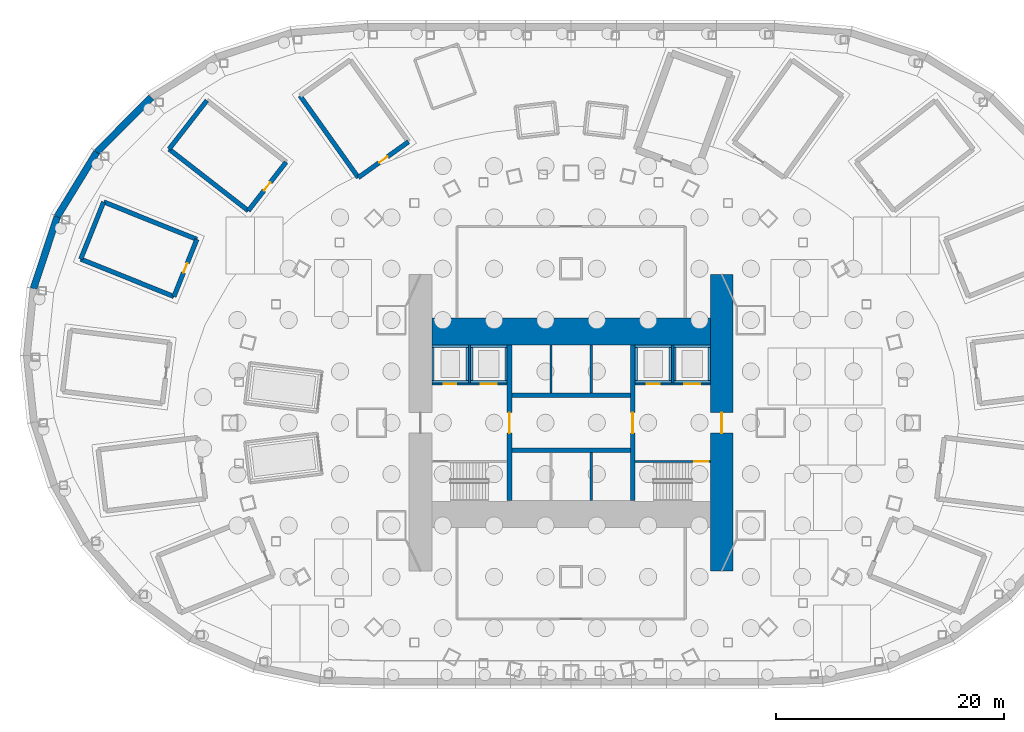
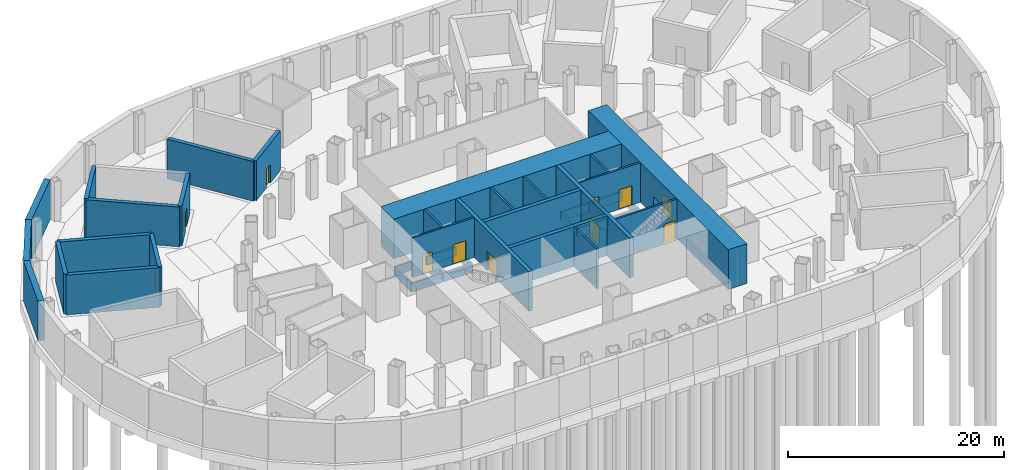
# One storey, part 5 of 11: 42 walls, 11 doors, 11 openings.
"""IFC4 building model written with IfcOpenShell, lengths in metres."""

import ifcopenshell
import ifcopenshell.guid

model = None  # the IFC model being written
_history = None  # IfcOwnerHistory: only IFC2X3 demands one
_inside = {}  # id of a spatial element -> (the spatial element, [elements in it])
_under = {}  # id of a project, library or spatial element -> (it, [spatial elements below it])
_declared = {}  # id of a project -> (the project, [libraries it declares])
_typed = {}  # id of a type object -> (the type object, [elements of that type])
_made_of = {}  # id of a material, layer set ... -> (it, [elements and type objects made of it])


def new_model(schema):
    """Start an empty IFC model of exactly this schema.

    Asked for "IFC4X3", IfcOpenShell would pick the latest addendum, in which some entities
    have other attributes; the version numbers below select the first issue.
    IFC2X3 requires an IfcOwnerHistory on every rooted entity: one is made here for all.
    """
    global model, _history
    if schema == "IFC4X3":
        model = ifcopenshell.file(schema_version=(4, 3, 0, 0))
    else:
        model = ifcopenshell.file(schema=schema)
    _inside.clear()
    _under.clear()
    _declared.clear()
    _typed.clear()
    _made_of.clear()
    _history = None
    if model.schema == "IFC2X3":
        org = make("IfcOrganization", Name="unknown")
        user = make(
            "IfcPersonAndOrganization",
            ThePerson=make("IfcPerson", FamilyName="unknown"),
            TheOrganization=org,
        )
        app = make(
            "IfcApplication",
            ApplicationDeveloper=org,
            Version="unknown",
            ApplicationFullName="unknown",
            ApplicationIdentifier="unknown",
        )
        _history = make(
            "IfcOwnerHistory",
            OwningUser=user,
            OwningApplication=app,
            ChangeAction="ADDED",
            CreationDate=0,
        )
    return model


def make(cls, **values):
    """One entity of the class cls with the attributes given. An attribute that is None is left unset."""
    return model.create_entity(
        cls, **{name: value for name, value in values.items() if value is not None}
    )


def rooted(cls, **values):
    """An entity with a GlobalId (a new one), such as an element, a storey or a relation."""
    return make(cls, GlobalId=ifcopenshell.guid.new(), OwnerHistory=_history, **values)


def si_unit(unit_type, name, prefix=None):
    """IfcSIUnit, for example si_unit("LENGTHUNIT", "METRE", prefix="MILLI")."""
    return make("IfcSIUnit", UnitType=unit_type, Prefix=prefix, Name=name)


def assignment(units):
    """IfcUnitAssignment: the units of a project."""
    return None if units is None else make("IfcUnitAssignment", Units=units)


def point(xyz):
    """IfcCartesianPoint."""
    return None if xyz is None else make("IfcCartesianPoint", Coordinates=xyz)


def direction(xyz):
    """IfcDirection."""
    return None if xyz is None else make("IfcDirection", DirectionRatios=xyz)


def frame(location, z_axis=None, x_axis=None):
    """IfcAxis2Placement3D, a coordinate frame: its origin and axes. An axis left out is left unset."""
    return make(
        "IfcAxis2Placement3D",
        Location=point(location),
        Axis=direction(z_axis),
        RefDirection=direction(x_axis),
    )


def frame_2d(location, x_axis=None):
    """IfcAxis2Placement2D, a coordinate frame in the plane: its origin and x axis."""
    return make(
        "IfcAxis2Placement2D", Location=point(location), RefDirection=direction(x_axis)
    )


def origin():
    """The frame at (0, 0, 0) with its axes left unset."""
    return frame((0.0, 0.0, 0.0))


def place(relative_to, where):
    """IfcLocalPlacement: puts the frame where relative to a parent placement (None: the world)."""
    return make(
        "IfcLocalPlacement", PlacementRelTo=relative_to, RelativePlacement=where
    )


def context(
    kind, dimensions, precision=None, world=None, true_north=None, identifier=None
):
    """IfcGeometricRepresentationContext, for example the 3D "Model" context."""
    return make(
        "IfcGeometricRepresentationContext",
        ContextIdentifier=identifier,
        ContextType=kind,
        CoordinateSpaceDimension=dimensions,
        Precision=precision,
        WorldCoordinateSystem=world,
        TrueNorth=true_north,
    )


def subcontext(parent, identifier, kind, view, scale=None):
    """IfcGeometricRepresentationSubContext, for example "Body" below "Model"."""
    return make(
        "IfcGeometricRepresentationSubContext",
        ContextIdentifier=identifier,
        ContextType=kind,
        ParentContext=parent,
        TargetScale=scale,
        TargetView=view,
    )


def project(units=None, contexts=None):
    """IfcProject with its units and contexts."""
    return rooted(
        "IfcProject",
        Name="project",
        RepresentationContexts=contexts,
        UnitsInContext=assignment(units),
    )


def spatial(cls, under=None, at=None, **own):
    """A site, building, storey or space (cls), placed at a placement, below another one or the project."""
    s = rooted(cls, ObjectPlacement=at, **own)
    if under is not None:
        _under.setdefault(under.id(), (under, []))[1].append(s)
    return s


def profile(cls, at=None, kind="AREA", **sizes):
    """A parametric profile (cls). Its sizes go by their IFC names, for example OverallWidth=200.0."""
    return make(cls, ProfileType=kind, Position=at, **sizes)


def rectangle(**sizes):
    """IfcRectangleProfileDef."""
    return profile("IfcRectangleProfileDef", **sizes)


def extrude(swept, where, along, depth):
    """IfcExtrudedAreaSolid: the profile swept, set in the frame where, extruded along a direction by depth."""
    return make(
        "IfcExtrudedAreaSolid",
        SweptArea=swept,
        Position=where,
        ExtrudedDirection=direction(along),
        Depth=depth,
    )


def shape(context_of_items, identifier, shape_type, items):
    """IfcShapeRepresentation: the items that make up one representation, for example the "Body"."""
    return make(
        "IfcShapeRepresentation",
        ContextOfItems=context_of_items,
        RepresentationIdentifier=identifier,
        RepresentationType=shape_type,
        Items=items,
    )


def material(Name=None, Category=None):
    """IfcMaterial."""
    return make("IfcMaterial", Name=Name, Category=Category)


def layer(
    of_material, thickness, ventilated=None, Name=None, Category=None, Priority=None
):
    """IfcMaterialLayer: one layer of a wall or slab, of a material (None: an air gap)."""
    return make(
        "IfcMaterialLayer",
        Material=of_material,
        LayerThickness=thickness,
        IsVentilated=ventilated,
        Name=Name,
        Category=Category,
        Priority=Priority,
    )


def layer_set(layers, Name=None):
    """IfcMaterialLayerSet."""
    return make("IfcMaterialLayerSet", MaterialLayers=layers, LayerSetName=Name)


def made_of(thing, what):
    """Note that an element or type object is made of a material, layer set ...; save() writes the relation."""
    if what is not None:
        _made_of.setdefault(what.id(), (what, []))[1].append(thing)
    return thing


def type_object(cls, material=None, **own):
    """A type object (cls), such as IfcWallType, which elements share."""
    return made_of(rooted(cls, **own), material)


def element(
    cls,
    number,
    at=None,
    inside=None,
    cuts=None,
    type_object=None,
    material=None,
    context=None,
    identifier="Body",
    shape_type=None,
    held_by="IfcProductDefinitionShape",
    body=None,
    shapes=None,
    **own,
):
    """One element of the class cls, such as IfcWall. Its Tag is "e" and its number.

    at: its placement. inside: the storey or other place that contains it. cuts: it is an
    opening in that element (IfcRelVoidsElement). A single representation is given by context,
    identifier, shape_type and body (its items); several are given by shapes. held_by: the class
    of the entity that holds the representations. save() writes the other relations.
    """
    e = rooted(cls, Tag="e%d" % number, ObjectPlacement=at, **own)
    if body is not None:
        shapes = [shape(context, identifier, shape_type, body)]
    if shapes is not None:
        e.Representation = make(held_by, Representations=shapes)
    if inside is not None:
        _inside.setdefault(inside.id(), (inside, []))[1].append(e)
    if cuts is not None:
        rooted(
            "IfcRelVoidsElement", RelatingBuildingElement=cuts, RelatedOpeningElement=e
        )
    if type_object is not None:
        _typed.setdefault(type_object.id(), (type_object, []))[1].append(e)
    return made_of(e, material)


def fill(opening, filler):
    """IfcRelFillsElement: the door or window that sits in an opening."""
    return rooted(
        "IfcRelFillsElement",
        RelatingOpeningElement=opening,
        RelatedBuildingElement=filler,
    )


def aggregate(whole, parts):
    """IfcRelAggregates: a whole, such as a stair, and the parts it consists of."""
    return rooted("IfcRelAggregates", RelatingObject=whole, RelatedObjects=parts)


def save(model, path):
    """Write the relations noted so far, then the file.

    IfcRelAggregates (storeys below a building ...), IfcRelContainedInSpatialStructure (elements
    in a storey), IfcRelDefinesByType, IfcRelAssociatesMaterial and IfcRelDeclares: one each for
    every whole, place, type object, material and project.
    """
    for whole, parts in _under.values():
        aggregate(whole, parts)
    for where, things in _inside.values():
        rooted(
            "IfcRelContainedInSpatialStructure",
            RelatedElements=things,
            RelatingStructure=where,
        )
    for kind, things in _typed.values():
        rooted("IfcRelDefinesByType", RelatedObjects=things, RelatingType=kind)
    for what, things in _made_of.values():
        rooted("IfcRelAssociatesMaterial", RelatedObjects=things, RelatingMaterial=what)
    for by, libraries in _declared.values():
        rooted("IfcRelDeclares", RelatingContext=by, RelatedDefinitions=libraries)
    model.write(path)


model = new_model("IFC4")

# Units and contexts
model_context = context("Model", 3, precision=1e-05, world=origin(), true_north=direction((0.0, 1.0)))
body_context = subcontext(model_context, "Body", "Model", "MODEL_VIEW")
ifc_project = project(units=[si_unit("LENGTHUNIT", "METRE"), si_unit("AREAUNIT", "SQUARE_METRE"), si_unit("VOLUMEUNIT", "CUBIC_METRE"), si_unit("PLANEANGLEUNIT", "RADIAN"), si_unit("MASSUNIT", "GRAM", prefix="KILO")], contexts=[model_context])

# Site, building, storey
site_placement = place(None, origin())
site = spatial("IfcSite", under=ifc_project, at=site_placement, CompositionType="ELEMENT")
building_placement = place(site_placement, origin())
building = spatial("IfcBuilding", under=site, at=building_placement, Name="Lantaw Convention Tower", CompositionType="ELEMENT")
storey_placement = place(building_placement, frame((0.0, 0.0, -10.0)))
storey = spatial("IfcBuildingStorey", under=building, at=storey_placement, Name="B2", CompositionType="ELEMENT", Elevation=-10.0)

# Walls
ifc_material_1 = material(Name="Concrete C40/50", Category="concrete")
ifc_layer_1 = layer(ifc_material_1, 0.60009765625)
ifc_layer_set_1 = layer_set([ifc_layer_1], Name="Basement wall 600")
wall_type_1 = type_object("IfcWallType", Name="Basement wall 600", PredefinedType="SOLIDWALL", material=ifc_layer_set_1)
wall_1_placement = place(storey_placement, frame((-36.78857421875, 28.51953125, 0.0), z_axis=(0.0, 0.0, 1.0), x_axis=(-0.705901268363, -0.708310242283, 0.0)))
element("IfcWall", 1, at=wall_1_placement, inside=storey, type_object=wall_type_1, Name="Basement retaining wall 20", PredefinedType="SOLIDWALL", context=body_context, shape_type="SweptSolid", body=[
    extrude(rectangle(XDim=6.790283203125, YDim=0.60009765625, at=frame_2d((3.39501953125, 0.0))), origin(), (0.0, 0.0, 1.0), 4.5),
])
wall_2_placement = place(storey_placement, frame((-41.581787109375, 23.7099609375, 0.0), z_axis=(0.0, 0.0, 1.0), x_axis=(-0.522223921517, -0.852808405092, 0.0)))
element("IfcWall", 2, at=wall_2_placement, inside=storey, type_object=wall_type_1, Name="Basement retaining wall 21", PredefinedType="SOLIDWALL", context=body_context, shape_type="SweptSolid", body=[
    extrude(rectangle(XDim=6.620849609375, YDim=0.60009765625, at=frame_2d((3.310546875, 0.0))), origin(), (0.0, 0.0, 1.0), 4.5),
])
wall_3_placement = place(storey_placement, frame((-45.039306640625, 18.063720703125, 0.0), z_axis=(0.0, 0.0, 1.0), x_axis=(-0.312606584294, -0.949882689313, 0.0)))
element("IfcWall", 3, at=wall_3_placement, inside=storey, type_object=wall_type_1, Name="Basement retaining wall 22", PredefinedType="SOLIDWALL", context=body_context, shape_type="SweptSolid", body=[
    extrude(rectangle(XDim=6.638427734375, YDim=0.60009765625, at=frame_2d((3.3193359375, 0.0))), origin(), (0.0, 0.0, 1.0), 4.5),
])

# Wall, opening, door
ifc_material_2 = material(Name="Concrete C60/75", Category="concrete")
ifc_layer_2 = layer(ifc_material_2, 0.199951171875)
ifc_layer_set_2 = layer_set([ifc_layer_2], Name="Core wall 200")
wall_type_2 = type_object("IfcWallType", Name="Core wall 200", PredefinedType="SHEAR", material=ifc_layer_set_2)
wall_4_placement = place(storey_placement, frame((5.60009765625, -3.39990234375, 0.0), z_axis=(0.0, 0.0, 1.0), x_axis=(1.0, 0.0, 0.0)))
wall_4 = element("IfcWall", 4, at=wall_4_placement, inside=storey, type_object=wall_type_2, Name="Core wall ES", PredefinedType="SHEAR", context=body_context, shape_type="SweptSolid", body=[
    extrude(rectangle(XDim=6.599853515625, YDim=0.199951171875, at=frame_2d((3.2998046875, 0.0))), origin(), (0.0, 0.0, 1.0), 4.5),
])
opening_1_placement = place(wall_4_placement, frame((5.199951171875, 0.0, 0.0)))
opening_1 = element("IfcOpeningElement", 5, at=opening_1_placement, cuts=wall_4, Name="Opening B2.03", PredefinedType="OPENING", context=body_context, shape_type="SweptSolid", body=[
    extrude(rectangle(XDim=1.199951171875, YDim=2.10009765625, at=frame_2d((0.60009765625, 1.050048828125))), frame((0.0, 0.10986328125, 0.0), z_axis=(0.0, -1.0, 0.0), x_axis=(1.0, 0.0, 0.0)), (0.0, 0.0, 1.0), 0.219970703125),
])
ifc_material_3 = material(Name="Steel, fire rated", Category="steel")
door_type_1 = type_object("IfcDoorType", Name="Stair door FD90", OperationType="SINGLE_SWING_RIGHT", PredefinedType="DOOR", material=ifc_material_3)
door_1_placement = place(opening_1_placement, origin())
door_1 = element("IfcDoor", 6, at=door_1_placement, inside=storey, type_object=door_type_1, Name="Exit stair door", OperationType="SINGLE_SWING_RIGHT", OverallHeight=2.10009765625, OverallWidth=1.199951171875, PredefinedType="DOOR", context=body_context, shape_type="SweptSolid", body=[
    extrude(rectangle(XDim=1.199951171875, YDim=2.10009765625, at=frame_2d((0.60009765625, 1.050048828125))), frame((0.0, 0.02490234375, 0.0), z_axis=(0.0, -1.0, 0.0), x_axis=(1.0, 0.0, 0.0)), (0.0, 0.0, 1.0), 0.050048828125),
])
fill(opening_1, door_1)

ifc_layer_3 = layer(ifc_material_2, 2.0)
ifc_layer_set_3 = layer_set([ifc_layer_3], Name="Core wall 2000")
wall_type_3 = type_object("IfcWallType", Name="Core wall 2000", PredefinedType="SHEAR", material=ifc_layer_set_3)
wall_5_placement = place(storey_placement, frame((13.199951171875, -13.0, 0.0), z_axis=(0.0, 0.0, 1.0), x_axis=(0.0, 1.0, 0.0)))
wall_5 = element("IfcWall", 7, at=wall_5_placement, inside=storey, type_object=wall_type_3, Name="Core wall E", PredefinedType="SHEAR", context=body_context, shape_type="SweptSolid", body=[
    extrude(rectangle(XDim=26.0, YDim=2.0, at=frame_2d((13.0, 0.0))), origin(), (0.0, 0.0, 1.0), 4.5),
])
opening_2_placement = place(wall_5_placement, frame((12.10009765625, 0.0, 0.0)))
opening_2 = element("IfcOpeningElement", 8, at=opening_2_placement, cuts=wall_5, Name="Opening B2.05", PredefinedType="OPENING", context=body_context, shape_type="SweptSolid", body=[
    extrude(rectangle(XDim=1.800048828125, YDim=2.10009765625, at=frame_2d((0.89990234375, 1.050048828125))), frame((0.0, 1.010009765625, 0.0), z_axis=(0.0, -1.0, 0.0), x_axis=(1.0, 0.0, 0.0)), (0.0, 0.0, 1.0), 2.02001953125),
])
door_type_2 = type_object("IfcDoorType", Name="Lobby double door FD90", OperationType="DOUBLE_DOOR_DOUBLE_SWING", PredefinedType="DOOR", material=ifc_material_3)
door_2_placement = place(opening_2_placement, origin())
door_2 = element("IfcDoor", 9, at=door_2_placement, inside=storey, type_object=door_type_2, Name="Firefighting lobby door", OperationType="DOUBLE_DOOR_DOUBLE_SWING", OverallHeight=2.10009765625, OverallWidth=1.800048828125, PredefinedType="DOOR", context=body_context, shape_type="SweptSolid", body=[
    extrude(rectangle(XDim=1.800048828125, YDim=2.10009765625, at=frame_2d((0.89990234375, 1.050048828125))), frame((0.0, 0.02490234375, 0.0), z_axis=(0.0, -1.0, 0.0), x_axis=(1.0, 0.0, 0.0)), (0.0, 0.0, 1.0), 0.050048828125),
])
fill(opening_2, door_2)

# Wall
ifc_layer_4 = layer(ifc_material_2, 2.39990234375)
ifc_layer_set_4 = layer_set([ifc_layer_4], Name="Core wall 2400")
wall_type_4 = type_object("IfcWallType", Name="Core wall 2400", PredefinedType="SHEAR", material=ifc_layer_set_4)
wall_6_placement = place(storey_placement, frame((12.199951171875, 8.0, 0.0), z_axis=(0.0, 0.0, 1.0), x_axis=(-1.0, 0.0, 0.0)))
element("IfcWall", 10, at=wall_6_placement, inside=storey, type_object=wall_type_4, Name="Core wall N", PredefinedType="SHEAR", context=body_context, shape_type="SweptSolid", body=[
    extrude(rectangle(XDim=24.39990234375, YDim=2.39990234375, at=frame_2d((12.199951171875, 0.0))), origin(), (0.0, 0.0, 1.0), 4.5),
])

# Wall, opening, door
ifc_layer_5 = layer(ifc_material_2, 0.39990234375)
ifc_layer_set_5 = layer_set([ifc_layer_5], Name="Core wall 400")
wall_type_5 = type_object("IfcWallType", Name="Core wall 400", PredefinedType="SHEAR", material=ifc_layer_set_5)
wall_7_placement = place(storey_placement, frame((5.39990234375, -6.800048828125, 0.0), z_axis=(0.0, 0.0, 1.0), x_axis=(0.0, 1.0, 0.0)))
wall_7 = element("IfcWall", 11, at=wall_7_placement, inside=storey, type_object=wall_type_5, Name="Core wall XE", PredefinedType="SHEAR", context=body_context, shape_type="SweptSolid", body=[
    extrude(rectangle(XDim=13.60009765625, YDim=0.39990234375, at=frame_2d((6.800048828125, 0.0))), origin(), (0.0, 0.0, 1.0), 4.5),
])
opening_3_placement = place(wall_7_placement, frame((5.89990234375, 0.0, 0.0)))
opening_3 = element("IfcOpeningElement", 12, at=opening_3_placement, cuts=wall_7, Name="Opening B2.01", PredefinedType="OPENING", context=body_context, shape_type="SweptSolid", body=[
    extrude(rectangle(XDim=1.800048828125, YDim=2.10009765625, at=frame_2d((0.89990234375, 1.050048828125))), frame((0.0, 0.2099609375, 0.0), z_axis=(0.0, -1.0, 0.0), x_axis=(1.0, 0.0, 0.0)), (0.0, 0.0, 1.0), 0.419921875),
])
door_3_placement = place(opening_3_placement, origin())
door_3 = element("IfcDoor", 13, at=door_3_placement, inside=storey, type_object=door_type_2, Name="Lift lobby door", OperationType="DOUBLE_DOOR_DOUBLE_SWING", OverallHeight=2.10009765625, OverallWidth=1.800048828125, PredefinedType="DOOR", context=body_context, shape_type="SweptSolid", body=[
    extrude(rectangle(XDim=1.800048828125, YDim=2.10009765625, at=frame_2d((0.89990234375, 1.050048828125))), frame((0.0, 0.02490234375, 0.0), z_axis=(0.0, -1.0, 0.0), x_axis=(1.0, 0.0, 0.0)), (0.0, 0.0, 1.0), 0.050048828125),
])
fill(opening_3, door_3)

wall_8_placement = place(storey_placement, frame((-5.39990234375, 6.800048828125, 0.0), z_axis=(0.0, 0.0, 1.0), x_axis=(0.0, -1.0, 0.0)))
wall_8 = element("IfcWall", 14, at=wall_8_placement, inside=storey, type_object=wall_type_5, Name="Core wall XW", PredefinedType="SHEAR", context=body_context, shape_type="SweptSolid", body=[
    extrude(rectangle(XDim=13.60009765625, YDim=0.39990234375, at=frame_2d((6.800048828125, 0.0))), origin(), (0.0, 0.0, 1.0), 4.5),
])
opening_4_placement = place(wall_8_placement, frame((5.89990234375, 0.0, 0.0)))
opening_4 = element("IfcOpeningElement", 15, at=opening_4_placement, cuts=wall_8, Name="Opening B2.02", PredefinedType="OPENING", context=body_context, shape_type="SweptSolid", body=[
    extrude(rectangle(XDim=1.800048828125, YDim=2.10009765625, at=frame_2d((0.89990234375, 1.050048828125))), frame((0.0, 0.2099609375, 0.0), z_axis=(0.0, -1.0, 0.0), x_axis=(1.0, 0.0, 0.0)), (0.0, 0.0, 1.0), 0.419921875),
])
door_4_placement = place(opening_4_placement, origin())
door_4 = element("IfcDoor", 16, at=door_4_placement, inside=storey, type_object=door_type_2, Name="Lift lobby door", OperationType="DOUBLE_DOOR_DOUBLE_SWING", OverallHeight=2.10009765625, OverallWidth=1.800048828125, PredefinedType="DOOR", context=body_context, shape_type="SweptSolid", body=[
    extrude(rectangle(XDim=1.800048828125, YDim=2.10009765625, at=frame_2d((0.89990234375, 1.050048828125))), frame((0.0, 0.02490234375, 0.0), z_axis=(0.0, -1.0, 0.0), x_axis=(1.0, 0.0, 0.0)), (0.0, 0.0, 1.0), 0.050048828125),
])
fill(opening_4, door_4)

# Walls
for number, where, z_axis, x_axis, name in (
    (17, (-5.199951171875, -2.39990234375, 0.0), (0.0, 0.0, 1.0), (1.0, 0.0, 0.0), "Core wall BS"),
    (18, (5.199951171875, 2.39990234375, 0.0), (0.0, 0.0, 1.0), (-1.0, 0.0, 0.0), "Core wall BN"),
):
    element("IfcWall", number, at=place(storey_placement, frame(where, z_axis=z_axis, x_axis=x_axis)), inside=storey, type_object=wall_type_5, Name=name, PredefinedType="SHEAR", context=body_context, shape_type="SweptSolid", body=[
        extrude(rectangle(XDim=10.39990234375, YDim=0.39990234375, at=frame_2d((5.199951171875, 0.0))), origin(), (0.0, 0.0, 1.0), 4.5),
    ])
ifc_layer_6 = layer(ifc_material_1, 0.199951171875)
ifc_layer_set_6 = layer_set([ifc_layer_6], Name="Lift pit wall 200")
wall_type_6 = type_object("IfcWallType", Name="Lift pit wall 200", PredefinedType="SOLIDWALL", material=ifc_layer_set_6)
wall_9_placement = place(storey_placement, frame((-12.199951171875, 3.60009765625, -1.800048828125), z_axis=(0.0, 0.0, 1.0), x_axis=(1.0, 0.0, 0.0)))
element("IfcWall", 19, at=wall_9_placement, inside=storey, type_object=wall_type_6, Name="Lift pit wall", PredefinedType="SOLIDWALL", context=body_context, shape_type="SweptSolid", body=[
    extrude(rectangle(XDim=3.199951171875, YDim=0.199951171875, at=frame_2d((1.60009765625, 0.0))), origin(), (0.0, 0.0, 1.0), 1.0),
])
wall_10_placement = place(storey_placement, frame((-9.10009765625, 3.699951171875, -1.800048828125), z_axis=(0.0, 0.0, 1.0), x_axis=(0.0, 1.0, 0.0)))
element("IfcWall", 20, at=wall_10_placement, inside=storey, type_object=wall_type_6, Name="Lift pit wall", PredefinedType="SOLIDWALL", context=body_context, shape_type="SweptSolid", body=[
    extrude(rectangle(XDim=2.900146484375, YDim=0.199951171875, at=frame_2d((1.4501953125, 0.0))), origin(), (0.0, 0.0, 1.0), 1.0),
])
wall_11_placement = place(storey_placement, frame((-9.0, 6.699951171875, -1.800048828125), z_axis=(0.0, 0.0, 1.0), x_axis=(-1.0, 0.0, 0.0)))
element("IfcWall", 21, at=wall_11_placement, inside=storey, type_object=wall_type_6, Name="Lift pit wall", PredefinedType="SOLIDWALL", context=body_context, shape_type="SweptSolid", body=[
    extrude(rectangle(XDim=3.199951171875, YDim=0.199951171875, at=frame_2d((1.60009765625, 0.0))), origin(), (0.0, 0.0, 1.0), 1.0),
])
wall_12_placement = place(storey_placement, frame((-12.10009765625, 6.60009765625, -1.800048828125), z_axis=(0.0, 0.0, 1.0), x_axis=(0.0, -1.0, 0.0)))
element("IfcWall", 22, at=wall_12_placement, inside=storey, type_object=wall_type_6, Name="Lift pit wall", PredefinedType="SOLIDWALL", context=body_context, shape_type="SweptSolid", body=[
    extrude(rectangle(XDim=2.900146484375, YDim=0.199951171875, at=frame_2d((1.4501953125, 0.0))), origin(), (0.0, 0.0, 1.0), 1.0),
])
wall_13_placement = place(storey_placement, frame((-8.800048828125, 3.60009765625, -1.800048828125), z_axis=(0.0, 0.0, 1.0), x_axis=(1.0, 0.0, 0.0)))
element("IfcWall", 23, at=wall_13_placement, inside=storey, type_object=wall_type_6, Name="Lift pit wall", PredefinedType="SOLIDWALL", context=body_context, shape_type="SweptSolid", body=[
    extrude(rectangle(XDim=3.199951171875, YDim=0.199951171875, at=frame_2d((1.60009765625, 0.0))), origin(), (0.0, 0.0, 1.0), 1.0),
])
wall_14_placement = place(storey_placement, frame((-5.699951171875, 3.699951171875, -1.800048828125), z_axis=(0.0, 0.0, 1.0), x_axis=(0.0, 1.0, 0.0)))
element("IfcWall", 24, at=wall_14_placement, inside=storey, type_object=wall_type_6, Name="Lift pit wall", PredefinedType="SOLIDWALL", context=body_context, shape_type="SweptSolid", body=[
    extrude(rectangle(XDim=2.900146484375, YDim=0.199951171875, at=frame_2d((1.4501953125, 0.0))), origin(), (0.0, 0.0, 1.0), 1.0),
])
wall_15_placement = place(storey_placement, frame((-5.60009765625, 6.699951171875, -1.800048828125), z_axis=(0.0, 0.0, 1.0), x_axis=(-1.0, 0.0, 0.0)))
element("IfcWall", 25, at=wall_15_placement, inside=storey, type_object=wall_type_6, Name="Lift pit wall", PredefinedType="SOLIDWALL", context=body_context, shape_type="SweptSolid", body=[
    extrude(rectangle(XDim=3.199951171875, YDim=0.199951171875, at=frame_2d((1.60009765625, 0.0))), origin(), (0.0, 0.0, 1.0), 1.0),
])
wall_16_placement = place(storey_placement, frame((-8.699951171875, 6.60009765625, -1.800048828125), z_axis=(0.0, 0.0, 1.0), x_axis=(0.0, -1.0, 0.0)))
element("IfcWall", 26, at=wall_16_placement, inside=storey, type_object=wall_type_6, Name="Lift pit wall", PredefinedType="SOLIDWALL", context=body_context, shape_type="SweptSolid", body=[
    extrude(rectangle(XDim=2.900146484375, YDim=0.199951171875, at=frame_2d((1.4501953125, 0.0))), origin(), (0.0, 0.0, 1.0), 1.0),
])
wall_17_placement = place(storey_placement, frame((5.60009765625, 3.60009765625, -1.800048828125), z_axis=(0.0, 0.0, 1.0), x_axis=(1.0, 0.0, 0.0)))
element("IfcWall", 27, at=wall_17_placement, inside=storey, type_object=wall_type_6, Name="Lift pit wall", PredefinedType="SOLIDWALL", context=body_context, shape_type="SweptSolid", body=[
    extrude(rectangle(XDim=3.199951171875, YDim=0.199951171875, at=frame_2d((1.60009765625, 0.0))), origin(), (0.0, 0.0, 1.0), 1.0),
])
wall_18_placement = place(storey_placement, frame((8.699951171875, 3.699951171875, -1.800048828125), z_axis=(0.0, 0.0, 1.0), x_axis=(0.0, 1.0, 0.0)))
element("IfcWall", 28, at=wall_18_placement, inside=storey, type_object=wall_type_6, Name="Lift pit wall", PredefinedType="SOLIDWALL", context=body_context, shape_type="SweptSolid", body=[
    extrude(rectangle(XDim=2.900146484375, YDim=0.199951171875, at=frame_2d((1.4501953125, 0.0))), origin(), (0.0, 0.0, 1.0), 1.0),
])
wall_19_placement = place(storey_placement, frame((8.800048828125, 6.699951171875, -1.800048828125), z_axis=(0.0, 0.0, 1.0), x_axis=(-1.0, 0.0, 0.0)))
element("IfcWall", 29, at=wall_19_placement, inside=storey, type_object=wall_type_6, Name="Lift pit wall", PredefinedType="SOLIDWALL", context=body_context, shape_type="SweptSolid", body=[
    extrude(rectangle(XDim=3.199951171875, YDim=0.199951171875, at=frame_2d((1.60009765625, 0.0))), origin(), (0.0, 0.0, 1.0), 1.0),
])
wall_20_placement = place(storey_placement, frame((5.699951171875, 6.60009765625, -1.800048828125), z_axis=(0.0, 0.0, 1.0), x_axis=(0.0, -1.0, 0.0)))
element("IfcWall", 30, at=wall_20_placement, inside=storey, type_object=wall_type_6, Name="Lift pit wall", PredefinedType="SOLIDWALL", context=body_context, shape_type="SweptSolid", body=[
    extrude(rectangle(XDim=2.900146484375, YDim=0.199951171875, at=frame_2d((1.4501953125, 0.0))), origin(), (0.0, 0.0, 1.0), 1.0),
])
wall_21_placement = place(storey_placement, frame((9.0, 3.60009765625, -1.800048828125), z_axis=(0.0, 0.0, 1.0), x_axis=(1.0, 0.0, 0.0)))
element("IfcWall", 31, at=wall_21_placement, inside=storey, type_object=wall_type_6, Name="Lift pit wall", PredefinedType="SOLIDWALL", context=body_context, shape_type="SweptSolid", body=[
    extrude(rectangle(XDim=3.199951171875, YDim=0.199951171875, at=frame_2d((1.60009765625, 0.0))), origin(), (0.0, 0.0, 1.0), 1.0),
])
wall_22_placement = place(storey_placement, frame((12.10009765625, 3.699951171875, -1.800048828125), z_axis=(0.0, 0.0, 1.0), x_axis=(0.0, 1.0, 0.0)))
element("IfcWall", 32, at=wall_22_placement, inside=storey, type_object=wall_type_6, Name="Lift pit wall", PredefinedType="SOLIDWALL", context=body_context, shape_type="SweptSolid", body=[
    extrude(rectangle(XDim=2.900146484375, YDim=0.199951171875, at=frame_2d((1.4501953125, 0.0))), origin(), (0.0, 0.0, 1.0), 1.0),
])
wall_23_placement = place(storey_placement, frame((12.199951171875, 6.699951171875, -1.800048828125), z_axis=(0.0, 0.0, 1.0), x_axis=(-1.0, 0.0, 0.0)))
element("IfcWall", 33, at=wall_23_placement, inside=storey, type_object=wall_type_6, Name="Lift pit wall", PredefinedType="SOLIDWALL", context=body_context, shape_type="SweptSolid", body=[
    extrude(rectangle(XDim=3.199951171875, YDim=0.199951171875, at=frame_2d((1.60009765625, 0.0))), origin(), (0.0, 0.0, 1.0), 1.0),
])
wall_24_placement = place(storey_placement, frame((9.10009765625, 6.60009765625, -1.800048828125), z_axis=(0.0, 0.0, 1.0), x_axis=(0.0, -1.0, 0.0)))
element("IfcWall", 34, at=wall_24_placement, inside=storey, type_object=wall_type_6, Name="Lift pit wall", PredefinedType="SOLIDWALL", context=body_context, shape_type="SweptSolid", body=[
    extrude(rectangle(XDim=2.900146484375, YDim=0.199951171875, at=frame_2d((1.4501953125, 0.0))), origin(), (0.0, 0.0, 1.0), 1.0),
])

# Wall, openings, doors
ifc_material_4 = material(Name="Concrete blockwork, fire rated", Category="masonry")
ifc_layer_7 = layer(ifc_material_4, 0.199951171875)
ifc_layer_set_7 = layer_set([ifc_layer_7], Name="Shaft wall 200")
wall_type_7 = type_object("IfcWallType", Name="Shaft wall 200", PredefinedType="SOLIDWALL", material=ifc_layer_set_7)
wall_25_placement = place(storey_placement, frame((12.199951171875, 3.39990234375, 0.0), z_axis=(0.0, 0.0, 1.0), x_axis=(-1.0, 0.0, 0.0)))
wall_25 = element("IfcWall", 35, at=wall_25_placement, inside=storey, type_object=wall_type_7, Name="Shaft wall EN", PredefinedType="SOLIDWALL", context=body_context, shape_type="SweptSolid", body=[
    extrude(rectangle(XDim=6.599853515625, YDim=0.199951171875, at=frame_2d((3.2998046875, 0.0))), origin(), (0.0, 0.0, 1.0), 4.5),
])
opening_5_placement = place(wall_25_placement, frame((4.449951171875, 0.0, 0.0)))
opening_5 = element("IfcOpeningElement", 36, at=opening_5_placement, cuts=wall_25, Name="Opening B2.09", PredefinedType="OPENING", context=body_context, shape_type="SweptSolid", body=[
    extrude(rectangle(XDim=1.10009765625, YDim=2.199951171875, at=frame_2d((0.550048828125, 1.10009765625))), frame((0.0, 0.10986328125, 0.0), z_axis=(0.0, -1.0, 0.0), x_axis=(1.0, 0.0, 0.0)), (0.0, 0.0, 1.0), 0.219970703125),
])
opening_6_placement = place(wall_25_placement, frame((0.89990234375, 0.0, 0.0)))
opening_6 = element("IfcOpeningElement", 37, at=opening_6_placement, cuts=wall_25, Name="Opening B2.10", PredefinedType="OPENING", context=body_context, shape_type="SweptSolid", body=[
    extrude(rectangle(XDim=1.39990234375, YDim=2.199951171875, at=frame_2d((0.699951171875, 1.10009765625))), frame((0.0, 0.10986328125, 0.0), z_axis=(0.0, -1.0, 0.0), x_axis=(1.0, 0.0, 0.0)), (0.0, 0.0, 1.0), 0.219970703125),
])
ifc_material_5 = material(Name="Stainless steel", Category="steel")
door_type_3 = type_object("IfcDoorType", Name="Lift landing door 1100", OperationType="DOUBLE_DOOR_SLIDING", PredefinedType="DOOR", material=ifc_material_5)
door_5_placement = place(opening_5_placement, origin())
door_5 = element("IfcDoor", 38, at=door_5_placement, inside=storey, type_object=door_type_3, Name="Lift landing door FF2", OperationType="DOUBLE_DOOR_SLIDING", OverallHeight=2.199951171875, OverallWidth=1.10009765625, PredefinedType="DOOR", context=body_context, shape_type="SweptSolid", body=[
    extrude(rectangle(XDim=1.10009765625, YDim=2.199951171875, at=frame_2d((0.550048828125, 1.10009765625))), frame((0.0, 0.02490234375, 0.0), z_axis=(0.0, -1.0, 0.0), x_axis=(1.0, 0.0, 0.0)), (0.0, 0.0, 1.0), 0.050048828125),
])
fill(opening_5, door_5)
door_type_4 = type_object("IfcDoorType", Name="Lift landing door 1400", OperationType="DOUBLE_DOOR_SLIDING", PredefinedType="DOOR", material=ifc_material_5)
door_6_placement = place(opening_6_placement, origin())
door_6 = element("IfcDoor", 39, at=door_6_placement, inside=storey, type_object=door_type_4, Name="Lift landing door SV2", OperationType="DOUBLE_DOOR_SLIDING", OverallHeight=2.199951171875, OverallWidth=1.39990234375, PredefinedType="DOOR", context=body_context, shape_type="SweptSolid", body=[
    extrude(rectangle(XDim=1.39990234375, YDim=2.199951171875, at=frame_2d((0.699951171875, 1.10009765625))), frame((0.0, 0.02490234375, 0.0), z_axis=(0.0, -1.0, 0.0), x_axis=(1.0, 0.0, 0.0)), (0.0, 0.0, 1.0), 0.050048828125),
])
fill(opening_6, door_6)

# Wall
wall_26_placement = place(storey_placement, frame((8.89990234375, 3.5, 0.0), z_axis=(0.0, 0.0, 1.0), x_axis=(0.0, 1.0, 0.0)))
element("IfcWall", 40, at=wall_26_placement, inside=storey, type_object=wall_type_7, Name="Shaft wall ED", PredefinedType="SOLIDWALL", context=body_context, shape_type="SweptSolid", body=[
    extrude(rectangle(XDim=3.300048828125, YDim=0.199951171875, at=frame_2d((1.64990234375, 0.0))), origin(), (0.0, 0.0, 1.0), 4.5),
])

# Wall, openings, doors
wall_27_placement = place(storey_placement, frame((-12.199951171875, 3.39990234375, 0.0), z_axis=(0.0, 0.0, 1.0), x_axis=(1.0, 0.0, 0.0)))
wall_27 = element("IfcWall", 41, at=wall_27_placement, inside=storey, type_object=wall_type_7, Name="Shaft wall WN", PredefinedType="SOLIDWALL", context=body_context, shape_type="SweptSolid", body=[
    extrude(rectangle(XDim=6.599853515625, YDim=0.199951171875, at=frame_2d((3.2998046875, 0.0))), origin(), (0.0, 0.0, 1.0), 4.5),
])
opening_7_placement = place(wall_27_placement, frame((1.050048828125, 0.0, 0.0)))
opening_7 = element("IfcOpeningElement", 42, at=opening_7_placement, cuts=wall_27, Name="Opening B2.07", PredefinedType="OPENING", context=body_context, shape_type="SweptSolid", body=[
    extrude(rectangle(XDim=1.10009765625, YDim=2.199951171875, at=frame_2d((0.550048828125, 1.10009765625))), frame((0.0, 0.10986328125, 0.0), z_axis=(0.0, -1.0, 0.0), x_axis=(1.0, 0.0, 0.0)), (0.0, 0.0, 1.0), 0.219970703125),
])
opening_8_placement = place(wall_27_placement, frame((4.300048828125, 0.0, 0.0)))
opening_8 = element("IfcOpeningElement", 43, at=opening_8_placement, cuts=wall_27, Name="Opening B2.08", PredefinedType="OPENING", context=body_context, shape_type="SweptSolid", body=[
    extrude(rectangle(XDim=1.39990234375, YDim=2.199951171875, at=frame_2d((0.699951171875, 1.10009765625))), frame((0.0, 0.10986328125, 0.0), z_axis=(0.0, -1.0, 0.0), x_axis=(1.0, 0.0, 0.0)), (0.0, 0.0, 1.0), 0.219970703125),
])
door_7_placement = place(opening_7_placement, origin())
door_7 = element("IfcDoor", 44, at=door_7_placement, inside=storey, type_object=door_type_3, Name="Lift landing door FF1", OperationType="DOUBLE_DOOR_SLIDING", OverallHeight=2.199951171875, OverallWidth=1.10009765625, PredefinedType="DOOR", context=body_context, shape_type="SweptSolid", body=[
    extrude(rectangle(XDim=1.10009765625, YDim=2.199951171875, at=frame_2d((0.550048828125, 1.10009765625))), frame((0.0, 0.02490234375, 0.0), z_axis=(0.0, -1.0, 0.0), x_axis=(1.0, 0.0, 0.0)), (0.0, 0.0, 1.0), 0.050048828125),
])
fill(opening_7, door_7)
door_8_placement = place(opening_8_placement, origin())
door_8 = element("IfcDoor", 45, at=door_8_placement, inside=storey, type_object=door_type_4, Name="Lift landing door SV1", OperationType="DOUBLE_DOOR_SLIDING", OverallHeight=2.199951171875, OverallWidth=1.39990234375, PredefinedType="DOOR", context=body_context, shape_type="SweptSolid", body=[
    extrude(rectangle(XDim=1.39990234375, YDim=2.199951171875, at=frame_2d((0.699951171875, 1.10009765625))), frame((0.0, 0.02490234375, 0.0), z_axis=(0.0, -1.0, 0.0), x_axis=(1.0, 0.0, 0.0)), (0.0, 0.0, 1.0), 0.050048828125),
])
fill(opening_8, door_8)

# Walls
wall_28_placement = place(storey_placement, frame((-8.89990234375, 3.5, 0.0), z_axis=(0.0, 0.0, 1.0), x_axis=(0.0, 1.0, 0.0)))
element("IfcWall", 46, at=wall_28_placement, inside=storey, type_object=wall_type_7, Name="Shaft wall WD", PredefinedType="SOLIDWALL", context=body_context, shape_type="SweptSolid", body=[
    extrude(rectangle(XDim=3.300048828125, YDim=0.199951171875, at=frame_2d((1.64990234375, 0.0))), origin(), (0.0, 0.0, 1.0), 4.5),
])
ifc_layer_8 = layer(ifc_material_4, 0.199951171875)
ifc_layer_set_8 = layer_set([ifc_layer_8], Name="Shaft wall 200 load-bearing")
wall_type_8 = type_object("IfcWallType", Name="Shaft wall 200 load-bearing", PredefinedType="SOLIDWALL", material=ifc_layer_set_8)
for number, where, z_axis, x_axis, name in (
    (47, (1.7666015625, -2.60009765625, 0.0), (0.0, 0.0, 1.0), (0.0, -1.0, 0.0), "Shaft wall DS2"),
    (48, (-1.7666015625, 2.60009765625, 0.0), (0.0, 0.0, 1.0), (0.0, 1.0, 0.0), "Shaft wall DN1"),
    (49, (1.7666015625, 2.60009765625, 0.0), (0.0, 0.0, 1.0), (0.0, 1.0, 0.0), "Shaft wall DN2"),
):
    element("IfcWall", number, at=place(storey_placement, frame(where, z_axis=z_axis, x_axis=x_axis)), inside=storey, type_object=wall_type_8, Name=name, PredefinedType="SOLIDWALL", context=body_context, shape_type="SweptSolid", body=[
        extrude(rectangle(XDim=4.199951171875, YDim=0.199951171875, at=frame_2d((2.10009765625, 0.0))), origin(), (0.0, 0.0, 1.0), 4.5),
    ])
ifc_material_6 = material(Name="Concrete C40/50, stair core", Category="concrete")
ifc_layer_9 = layer(ifc_material_6, 0.39990234375)
ifc_layer_set_9 = layer_set([ifc_layer_9], Name="Stair core wall 400 EI 120")
wall_type_9 = type_object("IfcWallType", Name="Stair core wall 400 EI 120", PredefinedType="SHEAR", material=ifc_layer_set_9)
wall_29_placement = place(storey_placement, frame((-23.75732421875, 28.656982421875, 0.0), z_axis=(0.0, 0.0, 1.0), x_axis=(0.580705313356, -0.814113836659, 0.0)))
element("IfcWall", 50, at=wall_29_placement, inside=storey, type_object=wall_type_9, Name="Stair core wall 400", PredefinedType="SHEAR", context=body_context, shape_type="SweptSolid", body=[
    extrude(rectangle(XDim=8.7998046875, YDim=0.39990234375, at=frame_2d((4.39990234375, 0.0))), origin(), (0.0, 0.0, 1.0), 4.5),
])

# Wall, opening, door
wall_30_placement = place(storey_placement, frame((-18.647216796875, 21.492919921875, 0.0), z_axis=(0.0, 0.0, 1.0), x_axis=(0.814121252423, 0.580694916762, 0.0)))
wall_30 = element("IfcWall", 51, at=wall_30_placement, inside=storey, type_object=wall_type_9, Name="Stair core wall 400", PredefinedType="SHEAR", context=body_context, shape_type="SweptSolid", body=[
    extrude(rectangle(XDim=5.39990234375, YDim=0.39990234375, at=frame_2d((2.699951171875, 0.0))), origin(), (0.0, 0.0, 1.0), 4.5),
])
opening_9_placement = place(wall_30_placement, frame((2.25, 0.0, 0.0)))
opening_9 = element("IfcOpeningElement", 52, at=opening_9_placement, cuts=wall_30, Name="Opening B2.18", PredefinedType="OPENING", context=body_context, shape_type="SweptSolid", body=[
    extrude(rectangle(XDim=0.89990234375, YDim=2.10009765625, at=frame_2d((0.449951171875, 1.050048828125))), frame((0.0, 0.2099609375, 0.0), z_axis=(0.0, -1.0, 0.0), x_axis=(1.0, 0.0, 0.0)), (0.0, 0.0, 1.0), 0.419921875),
])
door_type_5 = type_object("IfcDoorType", Name="Store door 900 FD60", OperationType="SINGLE_SWING_LEFT", PredefinedType="DOOR", material=ifc_material_3)
door_9_placement = place(opening_9_placement, origin())
door_9 = element("IfcDoor", 53, at=door_9_placement, inside=storey, type_object=door_type_5, Name="Store door", OperationType="SINGLE_SWING_LEFT", OverallHeight=2.10009765625, OverallWidth=0.89990234375, PredefinedType="DOOR", context=body_context, shape_type="SweptSolid", body=[
    extrude(rectangle(XDim=0.89990234375, YDim=2.10009765625, at=frame_2d((0.449951171875, 1.050048828125))), frame((0.0, 0.02490234375, 0.0), z_axis=(0.0, -1.0, 0.0), x_axis=(1.0, 0.0, 0.0)), (0.0, 0.0, 1.0), 0.050048828125),
])
fill(opening_9, door_9)

# Walls
wall_31_placement = place(storey_placement, frame((-31.924072265625, 28.248046875, 0.0), z_axis=(0.0, 0.0, 1.0), x_axis=(-0.613912443548, -0.789374126544, 0.0)))
element("IfcWall", 54, at=wall_31_placement, inside=storey, type_object=wall_type_9, Name="Stair core wall 400", PredefinedType="SHEAR", context=body_context, shape_type="SweptSolid", body=[
    extrude(rectangle(XDim=5.400146484375, YDim=0.39990234375, at=frame_2d((2.7001953125, 0.0))), origin(), (0.0, 0.0, 1.0), 4.5),
])
wall_32_placement = place(storey_placement, frame((-35.2392578125, 23.9853515625, 0.0), z_axis=(0.0, 0.0, 1.0), x_axis=(0.78938060008, -0.613904119726, 0.0)))
element("IfcWall", 55, at=wall_32_placement, inside=storey, type_object=wall_type_9, Name="Stair core wall 400", PredefinedType="SHEAR", context=body_context, shape_type="SweptSolid", body=[
    extrude(rectangle(XDim=8.800048828125, YDim=0.39990234375, at=frame_2d((4.39990234375, 0.0))), origin(), (0.0, 0.0, 1.0), 4.5),
])

# Wall, opening, door
wall_33_placement = place(storey_placement, frame((-28.292724609375, 18.5830078125, 0.0), z_axis=(0.0, 0.0, 1.0), x_axis=(0.613912443548, 0.789374126544, 0.0)))
wall_33 = element("IfcWall", 56, at=wall_33_placement, inside=storey, type_object=wall_type_9, Name="Stair core wall 400", PredefinedType="SHEAR", context=body_context, shape_type="SweptSolid", body=[
    extrude(rectangle(XDim=5.400146484375, YDim=0.39990234375, at=frame_2d((2.7001953125, 0.0))), origin(), (0.0, 0.0, 1.0), 4.5),
])
opening_10_placement = place(wall_33_placement, frame((2.25, 0.0, 0.0)))
opening_10 = element("IfcOpeningElement", 57, at=opening_10_placement, cuts=wall_33, Name="Opening B2.19", PredefinedType="OPENING", context=body_context, shape_type="SweptSolid", body=[
    extrude(rectangle(XDim=0.89990234375, YDim=2.10009765625, at=frame_2d((0.449951171875, 1.050048828125))), frame((0.0, 0.2099609375, 0.0), z_axis=(0.0, -1.0, 0.0), x_axis=(1.0, 0.0, 0.0)), (0.0, 0.0, 1.0), 0.419921875),
])
door_10_placement = place(opening_10_placement, origin())
door_10 = element("IfcDoor", 58, at=door_10_placement, inside=storey, type_object=door_type_5, Name="Store door", OperationType="SINGLE_SWING_LEFT", OverallHeight=2.10009765625, OverallWidth=0.89990234375, PredefinedType="DOOR", context=body_context, shape_type="SweptSolid", body=[
    extrude(rectangle(XDim=0.89990234375, YDim=2.10009765625, at=frame_2d((0.449951171875, 1.050048828125))), frame((0.0, 0.02490234375, 0.0), z_axis=(0.0, -1.0, 0.0), x_axis=(1.0, 0.0, 0.0)), (0.0, 0.0, 1.0), 0.050048828125),
])
fill(opening_10, door_10)

# Walls
wall_34_placement = place(storey_placement, frame((-32.800048828125, 16.07666015625, 0.0), z_axis=(0.0, 0.0, 1.0), x_axis=(-0.92801678004, 0.372538395288, 0.0)))
element("IfcWall", 59, at=wall_34_placement, inside=storey, type_object=wall_type_9, Name="Stair core wall 400", PredefinedType="SHEAR", context=body_context, shape_type="SweptSolid", body=[
    extrude(rectangle(XDim=8.800048828125, YDim=0.39990234375, at=frame_2d((4.39990234375, 0.0))), origin(), (0.0, 0.0, 1.0), 4.5),
])
wall_35_placement = place(storey_placement, frame((-40.966552734375, 19.35498046875, 0.0), z_axis=(0.0, 0.0, 1.0), x_axis=(-0.372544066459, -0.928014503414, 0.0)))
element("IfcWall", 60, at=wall_35_placement, inside=storey, type_object=wall_type_9, Name="Stair core wall 400", PredefinedType="SHEAR", context=body_context, shape_type="SweptSolid", body=[
    extrude(rectangle(XDim=5.39990234375, YDim=0.39990234375, at=frame_2d((2.699951171875, 0.0))), origin(), (0.0, 0.0, 1.0), 4.5),
])
wall_36_placement = place(storey_placement, frame((-42.978271484375, 14.34375, 0.0), z_axis=(0.0, 0.0, 1.0), x_axis=(0.92801678004, -0.372538395288, 0.0)))
element("IfcWall", 61, at=wall_36_placement, inside=storey, type_object=wall_type_9, Name="Stair core wall 400", PredefinedType="SHEAR", context=body_context, shape_type="SweptSolid", body=[
    extrude(rectangle(XDim=8.800048828125, YDim=0.39990234375, at=frame_2d((4.39990234375, 0.0))), origin(), (0.0, 0.0, 1.0), 4.5),
])

# Wall, opening, door
wall_37_placement = place(storey_placement, frame((-34.811767578125, 11.0654296875, 0.0), z_axis=(0.0, 0.0, 1.0), x_axis=(0.372544066459, 0.928014503414, 0.0)))
wall_37 = element("IfcWall", 62, at=wall_37_placement, inside=storey, type_object=wall_type_9, Name="Stair core wall 400", PredefinedType="SHEAR", context=body_context, shape_type="SweptSolid", body=[
    extrude(rectangle(XDim=5.39990234375, YDim=0.39990234375, at=frame_2d((2.699951171875, 0.0))), origin(), (0.0, 0.0, 1.0), 4.5),
])
opening_11_placement = place(wall_37_placement, frame((2.25, 0.0, 0.0)))
opening_11 = element("IfcOpeningElement", 63, at=opening_11_placement, cuts=wall_37, Name="Opening B2.20", PredefinedType="OPENING", context=body_context, shape_type="SweptSolid", body=[
    extrude(rectangle(XDim=0.89990234375, YDim=2.10009765625, at=frame_2d((0.449951171875, 1.050048828125))), frame((0.0, 0.2099609375, 0.0), z_axis=(0.0, -1.0, 0.0), x_axis=(1.0, 0.0, 0.0)), (0.0, 0.0, 1.0), 0.419921875),
])
door_11_placement = place(opening_11_placement, origin())
door_11 = element("IfcDoor", 64, at=door_11_placement, inside=storey, type_object=door_type_5, Name="Store door", OperationType="SINGLE_SWING_LEFT", OverallHeight=2.10009765625, OverallWidth=0.89990234375, PredefinedType="DOOR", context=body_context, shape_type="SweptSolid", body=[
    extrude(rectangle(XDim=0.89990234375, YDim=2.10009765625, at=frame_2d((0.449951171875, 1.050048828125))), frame((0.0, 0.02490234375, 0.0), z_axis=(0.0, -1.0, 0.0), x_axis=(1.0, 0.0, 0.0)), (0.0, 0.0, 1.0), 0.050048828125),
])
fill(opening_11, door_11)

save(model, "model.ifc")
